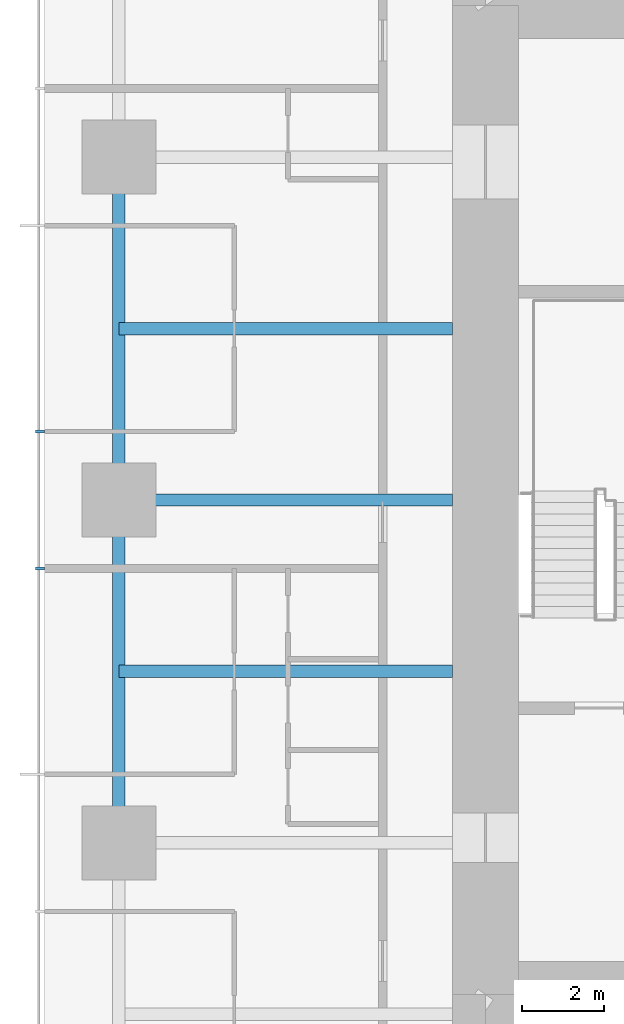
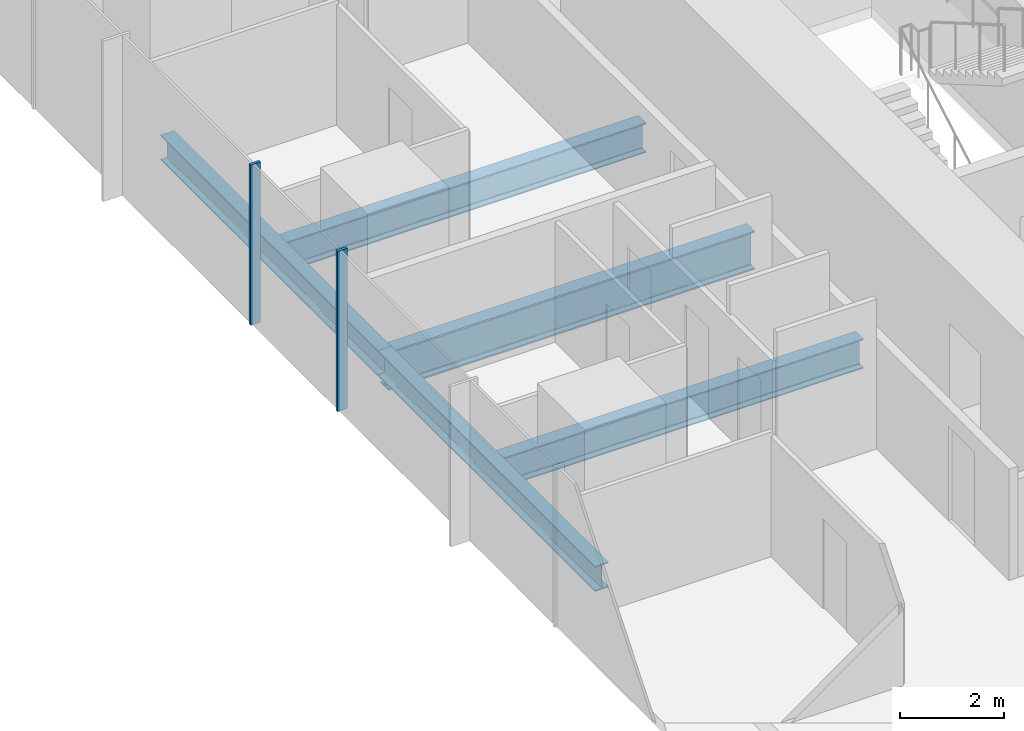
# One storey, part 3 of 12: 5 beams, 2 members, 1 element without a shape of its own.
"""IFC4 building model written with IfcOpenShell, lengths in metres."""

import ifcopenshell
import ifcopenshell.guid

model = None  # the IFC model being written
_history = None  # IfcOwnerHistory: only IFC2X3 demands one
_inside = {}  # id of a spatial element -> (the spatial element, [elements in it])
_under = {}  # id of a project, library or spatial element -> (it, [spatial elements below it])
_declared = {}  # id of a project -> (the project, [libraries it declares])
_typed = {}  # id of a type object -> (the type object, [elements of that type])
_made_of = {}  # id of a material, layer set ... -> (it, [elements and type objects made of it])


def new_model(schema):
    """Start an empty IFC model of exactly this schema.

    Asked for "IFC4X3", IfcOpenShell would pick the latest addendum, in which some entities
    have other attributes; the version numbers below select the first issue.
    IFC2X3 requires an IfcOwnerHistory on every rooted entity: one is made here for all.
    """
    global model, _history
    if schema == "IFC4X3":
        model = ifcopenshell.file(schema_version=(4, 3, 0, 0))
    else:
        model = ifcopenshell.file(schema=schema)
    _inside.clear()
    _under.clear()
    _declared.clear()
    _typed.clear()
    _made_of.clear()
    _history = None
    if model.schema == "IFC2X3":
        org = make("IfcOrganization", Name="unknown")
        user = make(
            "IfcPersonAndOrganization",
            ThePerson=make("IfcPerson", FamilyName="unknown"),
            TheOrganization=org,
        )
        app = make(
            "IfcApplication",
            ApplicationDeveloper=org,
            Version="unknown",
            ApplicationFullName="unknown",
            ApplicationIdentifier="unknown",
        )
        _history = make(
            "IfcOwnerHistory",
            OwningUser=user,
            OwningApplication=app,
            ChangeAction="ADDED",
            CreationDate=0,
        )
    return model


def make(cls, **values):
    """One entity of the class cls with the attributes given. An attribute that is None is left unset."""
    return model.create_entity(
        cls, **{name: value for name, value in values.items() if value is not None}
    )


def rooted(cls, **values):
    """An entity with a GlobalId (a new one), such as an element, a storey or a relation."""
    return make(cls, GlobalId=ifcopenshell.guid.new(), OwnerHistory=_history, **values)


def si_unit(unit_type, name, prefix=None):
    """IfcSIUnit, for example si_unit("LENGTHUNIT", "METRE", prefix="MILLI")."""
    return make("IfcSIUnit", UnitType=unit_type, Prefix=prefix, Name=name)


def assignment(units):
    """IfcUnitAssignment: the units of a project."""
    return None if units is None else make("IfcUnitAssignment", Units=units)


def point(xyz):
    """IfcCartesianPoint."""
    return None if xyz is None else make("IfcCartesianPoint", Coordinates=xyz)


def direction(xyz):
    """IfcDirection."""
    return None if xyz is None else make("IfcDirection", DirectionRatios=xyz)


def frame(location, z_axis=None, x_axis=None):
    """IfcAxis2Placement3D, a coordinate frame: its origin and axes. An axis left out is left unset."""
    return make(
        "IfcAxis2Placement3D",
        Location=point(location),
        Axis=direction(z_axis),
        RefDirection=direction(x_axis),
    )


def frame_2d(location, x_axis=None):
    """IfcAxis2Placement2D, a coordinate frame in the plane: its origin and x axis."""
    return make(
        "IfcAxis2Placement2D", Location=point(location), RefDirection=direction(x_axis)
    )


def origin():
    """The frame at (0, 0, 0) with its axes left unset."""
    return frame((0.0, 0.0, 0.0))


def origin_2d():
    """The frame at (0, 0) in the plane with its x axis left unset."""
    return frame_2d((0.0, 0.0))


def place(relative_to, where):
    """IfcLocalPlacement: puts the frame where relative to a parent placement (None: the world)."""
    return make(
        "IfcLocalPlacement", PlacementRelTo=relative_to, RelativePlacement=where
    )


def context(
    kind, dimensions, precision=None, world=None, true_north=None, identifier=None
):
    """IfcGeometricRepresentationContext, for example the 3D "Model" context."""
    return make(
        "IfcGeometricRepresentationContext",
        ContextIdentifier=identifier,
        ContextType=kind,
        CoordinateSpaceDimension=dimensions,
        Precision=precision,
        WorldCoordinateSystem=world,
        TrueNorth=true_north,
    )


def subcontext(parent, identifier, kind, view, scale=None):
    """IfcGeometricRepresentationSubContext, for example "Body" below "Model"."""
    return make(
        "IfcGeometricRepresentationSubContext",
        ContextIdentifier=identifier,
        ContextType=kind,
        ParentContext=parent,
        TargetScale=scale,
        TargetView=view,
    )


def project(units=None, contexts=None):
    """IfcProject with its units and contexts."""
    return rooted(
        "IfcProject",
        Name="project",
        RepresentationContexts=contexts,
        UnitsInContext=assignment(units),
    )


def spatial(cls, under=None, at=None, **own):
    """A site, building, storey or space (cls), placed at a placement, below another one or the project."""
    s = rooted(cls, ObjectPlacement=at, **own)
    if under is not None:
        _under.setdefault(under.id(), (under, []))[1].append(s)
    return s


def profile(cls, at=None, kind="AREA", **sizes):
    """A parametric profile (cls). Its sizes go by their IFC names, for example OverallWidth=200.0."""
    return make(cls, ProfileType=kind, Position=at, **sizes)


def rectangle(**sizes):
    """IfcRectangleProfileDef."""
    return profile("IfcRectangleProfileDef", **sizes)


def i_section(**sizes):
    """IfcIShapeProfileDef."""
    return profile("IfcIShapeProfileDef", **sizes)


def extrude(swept, where, along, depth):
    """IfcExtrudedAreaSolid: the profile swept, set in the frame where, extruded along a direction by depth."""
    return make(
        "IfcExtrudedAreaSolid",
        SweptArea=swept,
        Position=where,
        ExtrudedDirection=direction(along),
        Depth=depth,
    )


def shape(context_of_items, identifier, shape_type, items):
    """IfcShapeRepresentation: the items that make up one representation, for example the "Body"."""
    return make(
        "IfcShapeRepresentation",
        ContextOfItems=context_of_items,
        RepresentationIdentifier=identifier,
        RepresentationType=shape_type,
        Items=items,
    )


def material(Name=None, Category=None):
    """IfcMaterial."""
    return make("IfcMaterial", Name=Name, Category=Category)


def material_profile(
    of_material, cross_section, Name=None, Category=None, Priority=None
):
    """IfcMaterialProfile: a cross section and its material."""
    return make(
        "IfcMaterialProfile",
        Name=Name,
        Material=of_material,
        Profile=cross_section,
        Priority=Priority,
        Category=Category,
    )


def profile_set(profiles, Name=None, composite=None):
    """IfcMaterialProfileSet."""
    return make(
        "IfcMaterialProfileSet",
        Name=Name,
        MaterialProfiles=profiles,
        CompositeProfile=composite,
    )


def made_of(thing, what):
    """Note that an element or type object is made of a material, layer set ...; save() writes the relation."""
    if what is not None:
        _made_of.setdefault(what.id(), (what, []))[1].append(thing)
    return thing


def type_object(cls, material=None, **own):
    """A type object (cls), such as IfcWallType, which elements share."""
    return made_of(rooted(cls, **own), material)


def element(
    cls,
    number,
    at=None,
    inside=None,
    cuts=None,
    type_object=None,
    material=None,
    context=None,
    identifier="Body",
    shape_type=None,
    held_by="IfcProductDefinitionShape",
    body=None,
    shapes=None,
    **own,
):
    """One element of the class cls, such as IfcWall. Its Tag is "e" and its number.

    at: its placement. inside: the storey or other place that contains it. cuts: it is an
    opening in that element (IfcRelVoidsElement). A single representation is given by context,
    identifier, shape_type and body (its items); several are given by shapes. held_by: the class
    of the entity that holds the representations. save() writes the other relations.
    """
    e = rooted(cls, Tag="e%d" % number, ObjectPlacement=at, **own)
    if body is not None:
        shapes = [shape(context, identifier, shape_type, body)]
    if shapes is not None:
        e.Representation = make(held_by, Representations=shapes)
    if inside is not None:
        _inside.setdefault(inside.id(), (inside, []))[1].append(e)
    if cuts is not None:
        rooted(
            "IfcRelVoidsElement", RelatingBuildingElement=cuts, RelatedOpeningElement=e
        )
    if type_object is not None:
        _typed.setdefault(type_object.id(), (type_object, []))[1].append(e)
    return made_of(e, material)


def aggregate(whole, parts):
    """IfcRelAggregates: a whole, such as a stair, and the parts it consists of."""
    return rooted("IfcRelAggregates", RelatingObject=whole, RelatedObjects=parts)


def save(model, path):
    """Write the relations noted so far, then the file.

    IfcRelAggregates (storeys below a building ...), IfcRelContainedInSpatialStructure (elements
    in a storey), IfcRelDefinesByType, IfcRelAssociatesMaterial and IfcRelDeclares: one each for
    every whole, place, type object, material and project.
    """
    for whole, parts in _under.values():
        aggregate(whole, parts)
    for where, things in _inside.values():
        rooted(
            "IfcRelContainedInSpatialStructure",
            RelatedElements=things,
            RelatingStructure=where,
        )
    for kind, things in _typed.values():
        rooted("IfcRelDefinesByType", RelatedObjects=things, RelatingType=kind)
    for what, things in _made_of.values():
        rooted("IfcRelAssociatesMaterial", RelatedObjects=things, RelatingMaterial=what)
    for by, libraries in _declared.values():
        rooted("IfcRelDeclares", RelatingContext=by, RelatedDefinitions=libraries)
    model.write(path)


model = new_model("IFC4")

# Units and contexts
model_context = context("Model", 3, precision=1e-05, world=origin(), true_north=direction((0.0, 1.0)))
body_context = subcontext(model_context, "Body", "Model", "MODEL_VIEW")
ifc_project = project(units=[si_unit("LENGTHUNIT", "METRE"), si_unit("AREAUNIT", "SQUARE_METRE"), si_unit("VOLUMEUNIT", "CUBIC_METRE"), si_unit("PLANEANGLEUNIT", "RADIAN"), si_unit("MASSUNIT", "GRAM", prefix="KILO")], contexts=[model_context])

# Site, building, storey
site_placement = place(None, origin())
site = spatial("IfcSite", under=ifc_project, at=site_placement, CompositionType="ELEMENT")
building_placement = place(site_placement, origin())
building = spatial("IfcBuilding", under=site, at=building_placement, Name="Khuree Lantern Residences", CompositionType="ELEMENT")
storey_placement = place(building_placement, frame((0.0, 0.0, 222.0)))
storey = spatial("IfcBuildingStorey", under=building, at=storey_placement, Name="L55", CompositionType="ELEMENT", Elevation=222.0)

# Beams
ifc_material_1 = material(Name="Steel S355", Category="steel")
ifc_material_profile_1 = material_profile(ifc_material_1, i_section(OverallWidth=0.300048828125, OverallDepth=0.68994140625, WebThickness=0.014404296875, FlangeThickness=0.027099609375, FilletRadius=0.027099609375, at=origin_2d()), Name="HE 700 A")
ifc_profile_set_1 = profile_set([ifc_material_profile_1], Name="Steel S355")
beam_type_1 = type_object("IfcBeamType", Name="B-32 SECONDARY BEAM HE 700 A", PredefinedType="BEAM", material=ifc_profile_set_1)
for number, where, z_axis, x_axis, name in (
    (1, (-24.39990234375, -4.159912109375, -0.594970703125), (1.0, 0.0, 0.0), (0.0, 1.0, 0.0), "Secondary beam W3"),
    (2, (-24.39990234375, 4.159912109375, -0.594970703125), (1.0, 0.0, 0.0), (0.0, 1.0, 0.0), "Secondary beam W4"),
):
    element("IfcBeam", number, at=place(storey_placement, frame(where, z_axis=z_axis, x_axis=x_axis)), inside=storey, type_object=beam_type_1, Name=name, PredefinedType="BEAM", context=body_context, shape_type="SweptSolid", body=[
        extrude(i_section(OverallWidth=0.300048828125, OverallDepth=0.68994140625, WebThickness=0.014404296875, FlangeThickness=0.027099609375, FilletRadius=0.027099609375, at=origin_2d()), origin(), (0.0, 0.0, 1.0), 8.099853515625),
    ])
ifc_material_profile_2 = material_profile(ifc_material_1, i_section(OverallWidth=0.300048828125, OverallDepth=0.590087890625, WebThickness=0.012939453125, FlangeThickness=0.02490234375, FilletRadius=0.027099609375, at=origin_2d()), Name="HE 600 A")
ifc_profile_set_2 = profile_set([ifc_material_profile_2], Name="Steel S355")
beam_type_2 = type_object("IfcBeamType", Name="E-32 SPANDREL BEAM HE 600 A", PredefinedType="SPANDREL", material=ifc_profile_set_2)
for number, where, z_axis, x_axis, name in (
    (3, (-24.39990234375, -8.320068359375, -0.544921875), (0.0, 1.0, 0.0), (-1.0, 0.0, 0.0), "Spandrel beam W3"),
    (4, (-24.39990234375, 0.0, -0.544921875), (0.0, 1.0, 0.0), (-1.0, 0.0, 0.0), "Spandrel beam W4"),
):
    element("IfcBeam", number, at=place(storey_placement, frame(where, z_axis=z_axis, x_axis=x_axis)), inside=storey, type_object=beam_type_2, Name=name, PredefinedType="SPANDREL", context=body_context, shape_type="SweptSolid", body=[
        extrude(i_section(OverallWidth=0.300048828125, OverallDepth=0.590087890625, WebThickness=0.012939453125, FlangeThickness=0.02490234375, FilletRadius=0.027099609375, at=origin_2d()), origin(), (0.0, 0.0, 1.0), 8.320068359375),
    ])
ifc_material_profile_3 = material_profile(ifc_material_1, i_section(OverallWidth=0.300048828125, OverallDepth=0.89990234375, WebThickness=0.0185546875, FlangeThickness=0.034912109375, FilletRadius=0.030029296875, at=origin_2d()), Name="HE 900 B")
ifc_profile_set_3 = profile_set([ifc_material_profile_3], Name="Steel S355")
beam_type_3 = type_object("IfcBeamType", Name="G-32 GIRDER HE 900 B", PredefinedType="BEAM", material=ifc_profile_set_3)
beam_placement = place(storey_placement, frame((-24.39990234375, 0.0, -0.699951171875), z_axis=(1.0, 0.0, 0.0), x_axis=(0.0, 1.0, 0.0)))
element("IfcBeam", 5, at=beam_placement, inside=storey, type_object=beam_type_3, Name="Girder W3", PredefinedType="BEAM", context=body_context, shape_type="SweptSolid", body=[
    extrude(i_section(OverallWidth=0.300048828125, OverallDepth=0.89990234375, WebThickness=0.0185546875, FlangeThickness=0.034912109375, FilletRadius=0.030029296875, at=origin_2d()), origin(), (0.0, 0.0, 1.0), 8.099853515625),
])

# Curtain wall, members
ifc_material_2 = material(Name="Bronze anodised aluminium", Category="aluminium")
curtain_wall_type = type_object("IfcCurtainWallType", Name="CW-T1 TOWER FACE CURTAIN WALL", PredefinedType="USERDEFINED", material=ifc_material_2)
curtain_wall_placement = place(storey_placement, origin())
curtain_wall = element("IfcCurtainWall", 6, at=curtain_wall_placement, inside=storey, type_object=curtain_wall_type, Name="L55 WEST FACE CURTAIN WALL", ObjectType="Stick-built curtain wall", PredefinedType="USERDEFINED")
ifc_material_profile_4 = material_profile(ifc_material_2, rectangle(XDim=0.06494140625, YDim=0.219970703125, at=origin_2d()), Name="M1 65X220")
ifc_profile_set_4 = profile_set([ifc_material_profile_4], Name="Bronze anodised aluminium")
member_type = type_object("IfcMemberType", Name="M1 BRONZE MULLION TOWER 65X220", PredefinedType="MULLION", material=ifc_profile_set_4)
member_1_placement = place(storey_placement, frame((-26.31005859375, 1.6640625, 0.0), z_axis=(0.0, 0.0, 1.0), x_axis=(0.0, -1.0, 0.0)))
member_1 = element("IfcMember", 7, at=member_1_placement, type_object=member_type, Name="L55 WEST FACE MULLION 37", PredefinedType="MULLION", context=body_context, shape_type="SweptSolid", body=[
    extrude(rectangle(XDim=0.06494140625, YDim=0.219970703125, at=origin_2d()), origin(), (0.0, 0.0, 1.0), 3.75),
])
member_2_placement = place(storey_placement, frame((-26.31005859375, -1.6640625, 0.0), z_axis=(0.0, 0.0, 1.0), x_axis=(0.0, -1.0, 0.0)))
member_2 = element("IfcMember", 8, at=member_2_placement, type_object=member_type, Name="L55 WEST FACE MULLION 38", PredefinedType="MULLION", context=body_context, shape_type="SweptSolid", body=[
    extrude(rectangle(XDim=0.06494140625, YDim=0.219970703125, at=origin_2d()), origin(), (0.0, 0.0, 1.0), 3.75),
])
aggregate(curtain_wall, [member_1, member_2])

save(model, "model.ifc")
